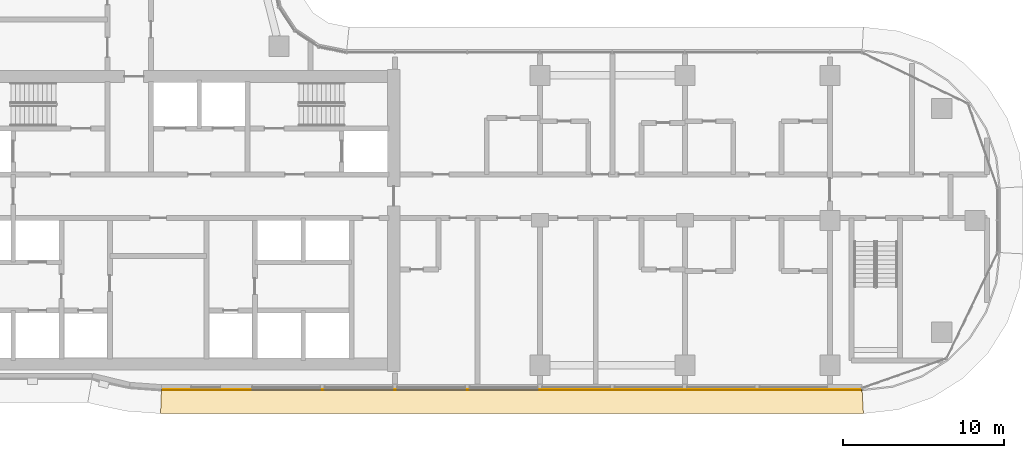
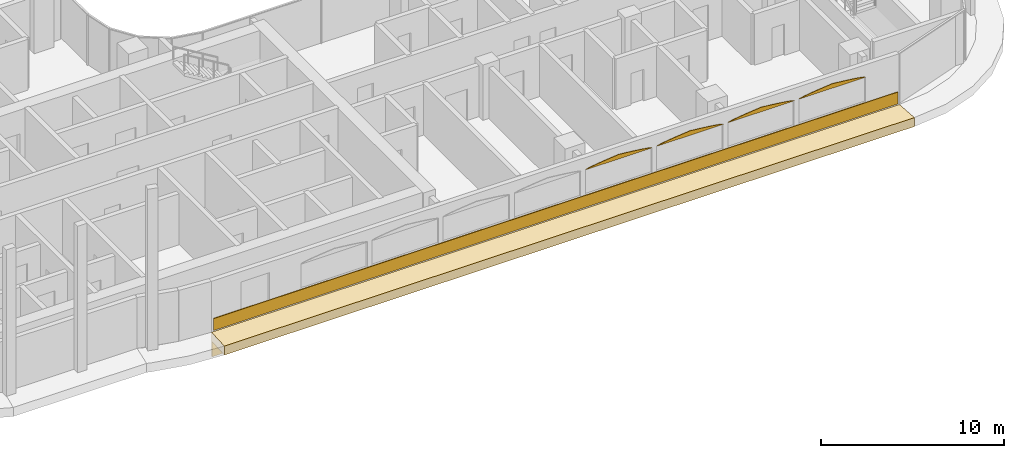
# One storey, part 21 of 25: 7 coverings.
"""IFC4 building model written with IfcOpenShell, lengths in metres."""

import ifcopenshell
import ifcopenshell.guid

model = None  # the IFC model being written
_history = None  # IfcOwnerHistory: only IFC2X3 demands one
_inside = {}  # id of a spatial element -> (the spatial element, [elements in it])
_under = {}  # id of a project, library or spatial element -> (it, [spatial elements below it])
_declared = {}  # id of a project -> (the project, [libraries it declares])
_typed = {}  # id of a type object -> (the type object, [elements of that type])
_made_of = {}  # id of a material, layer set ... -> (it, [elements and type objects made of it])


def new_model(schema):
    """Start an empty IFC model of exactly this schema.

    Asked for "IFC4X3", IfcOpenShell would pick the latest addendum, in which some entities
    have other attributes; the version numbers below select the first issue.
    IFC2X3 requires an IfcOwnerHistory on every rooted entity: one is made here for all.
    """
    global model, _history
    if schema == "IFC4X3":
        model = ifcopenshell.file(schema_version=(4, 3, 0, 0))
    else:
        model = ifcopenshell.file(schema=schema)
    _inside.clear()
    _under.clear()
    _declared.clear()
    _typed.clear()
    _made_of.clear()
    _history = None
    if model.schema == "IFC2X3":
        org = make("IfcOrganization", Name="unknown")
        user = make(
            "IfcPersonAndOrganization",
            ThePerson=make("IfcPerson", FamilyName="unknown"),
            TheOrganization=org,
        )
        app = make(
            "IfcApplication",
            ApplicationDeveloper=org,
            Version="unknown",
            ApplicationFullName="unknown",
            ApplicationIdentifier="unknown",
        )
        _history = make(
            "IfcOwnerHistory",
            OwningUser=user,
            OwningApplication=app,
            ChangeAction="ADDED",
            CreationDate=0,
        )
    return model


def make(cls, **values):
    """One entity of the class cls with the attributes given. An attribute that is None is left unset."""
    return model.create_entity(
        cls, **{name: value for name, value in values.items() if value is not None}
    )


def rooted(cls, **values):
    """An entity with a GlobalId (a new one), such as an element, a storey or a relation."""
    return make(cls, GlobalId=ifcopenshell.guid.new(), OwnerHistory=_history, **values)


def si_unit(unit_type, name, prefix=None):
    """IfcSIUnit, for example si_unit("LENGTHUNIT", "METRE", prefix="MILLI")."""
    return make("IfcSIUnit", UnitType=unit_type, Prefix=prefix, Name=name)


def assignment(units):
    """IfcUnitAssignment: the units of a project."""
    return None if units is None else make("IfcUnitAssignment", Units=units)


def point(xyz):
    """IfcCartesianPoint."""
    return None if xyz is None else make("IfcCartesianPoint", Coordinates=xyz)


def direction(xyz):
    """IfcDirection."""
    return None if xyz is None else make("IfcDirection", DirectionRatios=xyz)


def frame(location, z_axis=None, x_axis=None):
    """IfcAxis2Placement3D, a coordinate frame: its origin and axes. An axis left out is left unset."""
    return make(
        "IfcAxis2Placement3D",
        Location=point(location),
        Axis=direction(z_axis),
        RefDirection=direction(x_axis),
    )


def frame_2d(location, x_axis=None):
    """IfcAxis2Placement2D, a coordinate frame in the plane: its origin and x axis."""
    return make(
        "IfcAxis2Placement2D", Location=point(location), RefDirection=direction(x_axis)
    )


def origin():
    """The frame at (0, 0, 0) with its axes left unset."""
    return frame((0.0, 0.0, 0.0))


def origin_2d():
    """The frame at (0, 0) in the plane with its x axis left unset."""
    return frame_2d((0.0, 0.0))


def place(relative_to, where):
    """IfcLocalPlacement: puts the frame where relative to a parent placement (None: the world)."""
    return make(
        "IfcLocalPlacement", PlacementRelTo=relative_to, RelativePlacement=where
    )


def context(
    kind, dimensions, precision=None, world=None, true_north=None, identifier=None
):
    """IfcGeometricRepresentationContext, for example the 3D "Model" context."""
    return make(
        "IfcGeometricRepresentationContext",
        ContextIdentifier=identifier,
        ContextType=kind,
        CoordinateSpaceDimension=dimensions,
        Precision=precision,
        WorldCoordinateSystem=world,
        TrueNorth=true_north,
    )


def subcontext(parent, identifier, kind, view, scale=None):
    """IfcGeometricRepresentationSubContext, for example "Body" below "Model"."""
    return make(
        "IfcGeometricRepresentationSubContext",
        ContextIdentifier=identifier,
        ContextType=kind,
        ParentContext=parent,
        TargetScale=scale,
        TargetView=view,
    )


def project(units=None, contexts=None):
    """IfcProject with its units and contexts."""
    return rooted(
        "IfcProject",
        Name="project",
        RepresentationContexts=contexts,
        UnitsInContext=assignment(units),
    )


def spatial(cls, under=None, at=None, **own):
    """A site, building, storey or space (cls), placed at a placement, below another one or the project."""
    s = rooted(cls, ObjectPlacement=at, **own)
    if under is not None:
        _under.setdefault(under.id(), (under, []))[1].append(s)
    return s


def polyline(points):
    """IfcPolyline through the points."""
    return make("IfcPolyline", Points=[point(p) for p in points])


def profile(cls, at=None, kind="AREA", **sizes):
    """A parametric profile (cls). Its sizes go by their IFC names, for example OverallWidth=200.0."""
    return make(cls, ProfileType=kind, Position=at, **sizes)


def rectangle(**sizes):
    """IfcRectangleProfileDef."""
    return profile("IfcRectangleProfileDef", **sizes)


def outline(outer, holes=None, kind="AREA"):
    """IfcArbitraryClosedProfileDef: a profile drawn as a closed curve; with holes, ...WithVoids."""
    if holes is None:
        return make("IfcArbitraryClosedProfileDef", ProfileType=kind, OuterCurve=outer)
    return make(
        "IfcArbitraryProfileDefWithVoids",
        ProfileType=kind,
        OuterCurve=outer,
        InnerCurves=holes,
    )


def extrude(swept, where, along, depth):
    """IfcExtrudedAreaSolid: the profile swept, set in the frame where, extruded along a direction by depth."""
    return make(
        "IfcExtrudedAreaSolid",
        SweptArea=swept,
        Position=where,
        ExtrudedDirection=direction(along),
        Depth=depth,
    )


def shape(context_of_items, identifier, shape_type, items):
    """IfcShapeRepresentation: the items that make up one representation, for example the "Body"."""
    return make(
        "IfcShapeRepresentation",
        ContextOfItems=context_of_items,
        RepresentationIdentifier=identifier,
        RepresentationType=shape_type,
        Items=items,
    )


def material(Name=None, Category=None):
    """IfcMaterial."""
    return make("IfcMaterial", Name=Name, Category=Category)


def layer(
    of_material, thickness, ventilated=None, Name=None, Category=None, Priority=None
):
    """IfcMaterialLayer: one layer of a wall or slab, of a material (None: an air gap)."""
    return make(
        "IfcMaterialLayer",
        Material=of_material,
        LayerThickness=thickness,
        IsVentilated=ventilated,
        Name=Name,
        Category=Category,
        Priority=Priority,
    )


def layer_set(layers, Name=None):
    """IfcMaterialLayerSet."""
    return make("IfcMaterialLayerSet", MaterialLayers=layers, LayerSetName=Name)


def made_of(thing, what):
    """Note that an element or type object is made of a material, layer set ...; save() writes the relation."""
    if what is not None:
        _made_of.setdefault(what.id(), (what, []))[1].append(thing)
    return thing


def type_object(cls, material=None, **own):
    """A type object (cls), such as IfcWallType, which elements share."""
    return made_of(rooted(cls, **own), material)


def element(
    cls,
    number,
    at=None,
    inside=None,
    cuts=None,
    type_object=None,
    material=None,
    context=None,
    identifier="Body",
    shape_type=None,
    held_by="IfcProductDefinitionShape",
    body=None,
    shapes=None,
    **own,
):
    """One element of the class cls, such as IfcWall. Its Tag is "e" and its number.

    at: its placement. inside: the storey or other place that contains it. cuts: it is an
    opening in that element (IfcRelVoidsElement). A single representation is given by context,
    identifier, shape_type and body (its items); several are given by shapes. held_by: the class
    of the entity that holds the representations. save() writes the other relations.
    """
    e = rooted(cls, Tag="e%d" % number, ObjectPlacement=at, **own)
    if body is not None:
        shapes = [shape(context, identifier, shape_type, body)]
    if shapes is not None:
        e.Representation = make(held_by, Representations=shapes)
    if inside is not None:
        _inside.setdefault(inside.id(), (inside, []))[1].append(e)
    if cuts is not None:
        rooted(
            "IfcRelVoidsElement", RelatingBuildingElement=cuts, RelatedOpeningElement=e
        )
    if type_object is not None:
        _typed.setdefault(type_object.id(), (type_object, []))[1].append(e)
    return made_of(e, material)


def aggregate(whole, parts):
    """IfcRelAggregates: a whole, such as a stair, and the parts it consists of."""
    return rooted("IfcRelAggregates", RelatingObject=whole, RelatedObjects=parts)


def save(model, path):
    """Write the relations noted so far, then the file.

    IfcRelAggregates (storeys below a building ...), IfcRelContainedInSpatialStructure (elements
    in a storey), IfcRelDefinesByType, IfcRelAssociatesMaterial and IfcRelDeclares: one each for
    every whole, place, type object, material and project.
    """
    for whole, parts in _under.values():
        aggregate(whole, parts)
    for where, things in _inside.values():
        rooted(
            "IfcRelContainedInSpatialStructure",
            RelatedElements=things,
            RelatingStructure=where,
        )
    for kind, things in _typed.values():
        rooted("IfcRelDefinesByType", RelatedObjects=things, RelatingType=kind)
    for what, things in _made_of.values():
        rooted("IfcRelAssociatesMaterial", RelatedObjects=things, RelatingMaterial=what)
    for by, libraries in _declared.values():
        rooted("IfcRelDeclares", RelatingContext=by, RelatedDefinitions=libraries)
    model.write(path)


model = new_model("IFC4")

# Units and contexts
model_context = context("Model", 3, precision=1e-05, world=origin(), true_north=direction((0.0, 1.0)))
body_context = subcontext(model_context, "Body", "Model", "MODEL_VIEW")
ifc_project = project(units=[si_unit("LENGTHUNIT", "METRE"), si_unit("AREAUNIT", "SQUARE_METRE"), si_unit("VOLUMEUNIT", "CUBIC_METRE"), si_unit("PLANEANGLEUNIT", "RADIAN"), si_unit("MASSUNIT", "GRAM", prefix="KILO")], contexts=[model_context])

# Site, building, storey
site_placement = place(None, origin())
site = spatial("IfcSite", under=ifc_project, at=site_placement, CompositionType="ELEMENT")
building_placement = place(site_placement, origin())
building = spatial("IfcBuilding", under=site, at=building_placement, Name="Ogive Portal Towers", CompositionType="ELEMENT")
storey_placement = place(building_placement, frame((0.0, 0.0, 105.60009765625)))
storey = spatial("IfcBuildingStorey", under=building, at=storey_placement, Name="L25", CompositionType="ELEMENT", Elevation=105.60009765625)

# Coverings
ifc_material = material(Name="Limestone cladding on lightweight block wall", Category="masonry")
ifc_layer_1 = layer(ifc_material, 0.0400390625)
ifc_layer_set_1 = layer_set([ifc_layer_1], Name="LANCET HEAD STONE")
covering_type_1 = type_object("IfcCoveringType", Name="LANCET HEAD STONE", PredefinedType="CLADDING", material=ifc_layer_set_1)
for number, where, z_axis, x_axis, name in (
    (1, (67.64990234375, 20.0, 2.599853515625), (0.0, 0.999948962386, 0.010103099685), (1.0, 0.0, 0.0), "Lancet head"),
    (2, (72.14990234375, 20.0, 2.599853515625), (0.0, 0.999948962386, 0.010103099685), (1.0, 0.0, 0.0), "Lancet head"),
    (3, (76.64990234375, 20.0, 2.599853515625), (0.0, 0.999948962386, 0.010103099685), (1.0, 0.0, 0.0), "Lancet head"),
    (4, (81.14990234375, 20.0, 2.599853515625), (0.0, 0.999948962386, 0.010103099685), (1.0, 0.0, 0.0), "Lancet head"),
):
    element("IfcCovering", number, at=place(storey_placement, frame(where, z_axis=z_axis, x_axis=x_axis)), inside=storey, type_object=covering_type_1, Name=name, PredefinedType="CLADDING", context=body_context, shape_type="SweptSolid", body=[
        extrude(outline(polyline([(0.0, 0.0), (4.2001953125, 0.0), (4.107177734375, -0.03760067050947447), (3.9375, -0.07495474627723249), (3.7177734375, -0.11255541678670695), (3.45751953125, -0.15015362071910998), (3.162353515625, -0.18751016306393944), (2.836181640625, -0.22510836699634246), (2.481201171875, -0.2624649093411719), (2.10009765625, -0.30006311327357493), (1.718994140625, -0.2624649093411719), (1.364013671875, -0.22510836699634246), (1.037841796875, -0.18751016306393944), (0.74267578125, -0.15015362071910998), (0.482421875, -0.11255541678670695), (0.2626953125, -0.07495474627723249), (0.093017578125, -0.03760067050947447), (0.0, 0.0)])), origin(), (0.0, 0.0, -1.0), 0.0400390625),
    ])
ifc_layer_2 = layer(ifc_material, 0.050048828125)
ifc_layer_set_2 = layer_set([ifc_layer_2], Name="SCREEN PERFORATED STONE")
covering_type_2 = type_object("IfcCoveringType", Name="SCREEN PERFORATED STONE", PredefinedType="CLADDING", material=ifc_layer_set_2)
covering_1_placement = place(storey_placement, frame((65.74853515625, 19.97509765625, 0.10009765625), z_axis=(0.0, 0.0, 1.0), x_axis=(1.0, 0.0, 0.0)))
element("IfcCovering", 5, at=covering_1_placement, inside=storey, type_object=covering_type_2, Name="Tracery screen", PredefinedType="CLADDING", context=body_context, shape_type="SweptSolid", body=[
    extrude(rectangle(XDim=43.275634765625, YDim=0.050048828125, at=origin_2d()), origin(), (0.0, 0.0, 1.0), 0.800048828125),
])
ifc_layer_3 = layer(ifc_material, 0.080078125)
ifc_layer_set_3 = layer_set([ifc_layer_3], Name="STONE SPANDREL 80")
covering_type_3 = type_object("IfcCoveringType", Name="STONE SPANDREL 80", PredefinedType="CLADDING", material=ifc_layer_set_3)
covering_2_placement = place(storey_placement, frame((0.0, 0.0, -1.60009765625)))
element("IfcCovering", 6, at=covering_2_placement, inside=storey, type_object=covering_type_3, Name="Stone spandrel A1-F05", PredefinedType="CLADDING", context=body_context, shape_type="SweptSolid", body=[
    extrude(outline(polyline([(44.0, 20.0), (87.5, 20.0), (87.50439453125, 19.919921875), (43.9970703125, 19.919921875), (44.0, 20.0)])), origin(), (0.0, 0.0, 1.0), 1.0),
])
ifc_layer_4 = layer(ifc_material, 0.60009765625)
ifc_layer_set_4 = layer_set([ifc_layer_4], Name="SUNSHADE LIP 600")
covering_type_4 = type_object("IfcCoveringType", Name="SUNSHADE LIP 600", PredefinedType="CLADDING", material=ifc_layer_set_4)
covering_3_placement = place(storey_placement, frame((0.0, 0.0, -0.60009765625)))
element("IfcCovering", 7, at=covering_3_placement, inside=storey, type_object=covering_type_4, Name="Sunshade lip A1-F05", PredefinedType="CLADDING", context=body_context, shape_type="SweptSolid", body=[
    extrude(outline(polyline([(44.0, 20.0), (87.5, 20.0), (87.584228515625, 18.5), (43.946533203125, 18.5), (44.0, 20.0)])), origin(), (0.0, 0.0, 1.0), 0.60009765625),
])

save(model, "model.ifc")
